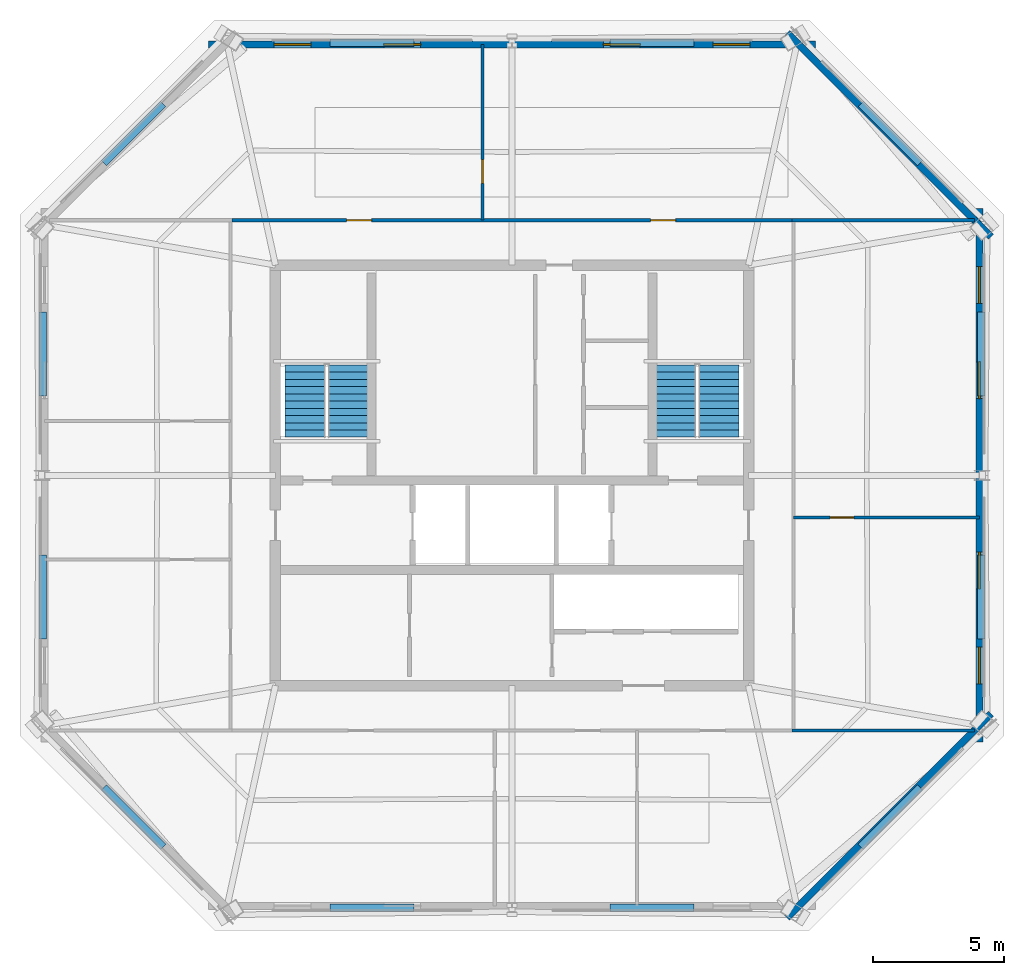
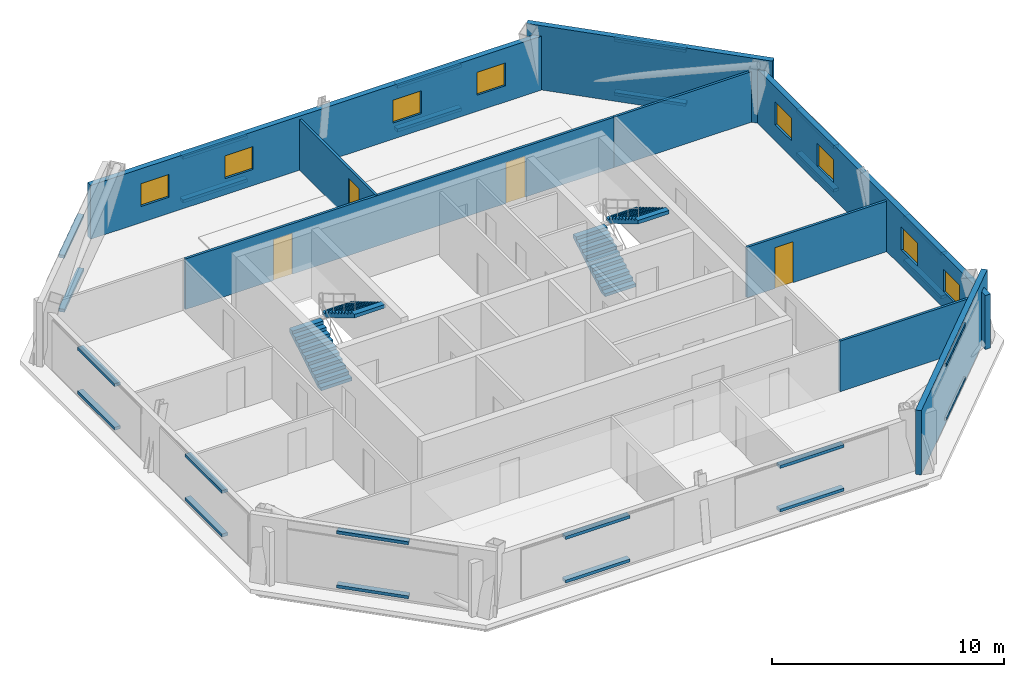
# One storey, part 4 of 6: 24 discrete accessories, 9 walls, 8 windows, 4 doors, 4 stair flights, 12 openings, 2 elements without a shape of their own.
"""IFC4 building model written with IfcOpenShell, lengths in metres."""

from ifc_helpers import new_model, si_unit, direction, frame, frame_2d, origin, origin_2d, place, context, subcontext, project, spatial, polyline, rectangle, outline, extrude, material, layer, layer_set, type_object, element, fill, aggregate, save


model = new_model("IFC4")

# Units and contexts
model_context = context("Model", 3, precision=1e-05, world=origin(), true_north=direction((0.0, 1.0)))
body_context = subcontext(model_context, "Body", "Model", "MODEL_VIEW")
ifc_project = project(units=[si_unit("LENGTHUNIT", "METRE"), si_unit("AREAUNIT", "SQUARE_METRE"), si_unit("VOLUMEUNIT", "CUBIC_METRE"), si_unit("PLANEANGLEUNIT", "RADIAN"), si_unit("MASSUNIT", "GRAM", prefix="KILO")], contexts=[model_context])

# Site, building, storey
site_placement = place(None, origin())
site = spatial("IfcSite", under=ifc_project, at=site_placement, CompositionType="ELEMENT")
building_placement = place(site_placement, origin())
building = spatial("IfcBuilding", under=site, at=building_placement, Name="Caelvoria Tower", CompositionType="ELEMENT")
storey_placement = place(building_placement, frame((0.0, 0.0, 268.199951171875)))
storey = spatial("IfcBuildingStorey", under=building, at=storey_placement, Name="L71", CompositionType="ELEMENT", Elevation=268.199951171875)

# Wall, opening, door
ifc_material_1 = material(Name="Acoustic Gypsum Board on Light-Gauge Stud", Category="gypsum")
ifc_layer_1 = layer(ifc_material_1, 0.1201171875, Name="Acoustic Gypsum Board on Light-Gauge Stud")
ifc_layer_set_1 = layer_set([ifc_layer_1], Name="Tenant Suite Acoustic Partition Wall 120 - Acoustic Gypsum Board on Light-Gauge Stud")
wall_type_1 = type_object("IfcWallType", Name="Tenant Suite Acoustic Partition Wall 120", PredefinedType="PARTITIONING", material=ifc_layer_set_1)
wall_1_placement = place(storey_placement, frame((44.882080078125, 41.7099609375, 0.0), z_axis=(0.0, 0.0, 1.0), x_axis=(0.0, 1.0, 0.0)))
wall_1 = element("IfcWall", 1, at=wall_1_placement, inside=storey, type_object=wall_type_1, Name="Interior Partition IW-L71-ND-00-0", PredefinedType="PARTITIONING", context=body_context, shape_type="SweptSolid", body=[
    extrude(rectangle(XDim=6.67724609375, YDim=0.1201171875, at=frame_2d((3.338623046875, 0.0))), origin(), (0.0, 0.0, 1.0), 2.655029296875),
])
opening_1_placement = place(wall_1_placement, frame((1.39990234375, 0.0, 0.0)))
opening_1 = element("IfcOpeningElement", 2, at=opening_1_placement, cuts=wall_1, Name="Opening ID-06", PredefinedType="OPENING", context=body_context, shape_type="SweptSolid", body=[
    extrude(rectangle(XDim=0.89990234375, YDim=2.14990234375, at=frame_2d((0.449951171875, 1.074951171875))), frame((0.0, 0.070068359375, 0.0), z_axis=(0.0, -1.0, 0.0), x_axis=(1.0, 0.0, 0.0)), (0.0, 0.0, 1.0), 0.14013671875),
])
ifc_material_2 = material(Name="Engineered Andean Oak Veneer Door", Category="wood")
door_type_1 = type_object("IfcDoorType", Name="Interior Timber Door 900x2150", OperationType="NOTDEFINED", PredefinedType="DOOR", material=ifc_material_2)
door_1_placement = place(opening_1_placement, origin())
door_1 = element("IfcDoor", 3, at=door_1_placement, inside=storey, type_object=door_type_1, Name="Interior Door DR-L71-NM-00-0", OperationType="SINGLE_SWING_RIGHT", OverallHeight=2.14990234375, OverallWidth=0.89990234375, PredefinedType="DOOR", context=body_context, shape_type="SweptSolid", body=[
    extrude(rectangle(XDim=0.89990234375, YDim=2.14990234375, at=frame_2d((0.449951171875, 1.074951171875))), frame((0.0, 0.02490234375, 0.0), z_axis=(0.0, -1.0, 0.0), x_axis=(1.0, 0.0, 0.0)), (0.0, 0.0, 1.0), 0.050048828125),
])
fill(opening_1, door_1)

# Wall, openings, doors
wall_2_placement = place(storey_placement, frame((35.35009765625, 41.7099609375, 0.0), z_axis=(0.0, 0.0, 1.0), x_axis=(1.0, 0.0, 0.0)))
wall_2 = element("IfcWall", 4, at=wall_2_placement, inside=storey, type_object=wall_type_1, Name="Interior Partition IW-L71-NCW-0", PredefinedType="PARTITIONING", context=body_context, shape_type="SweptSolid", body=[
    extrude(rectangle(XDim=21.2998046875, YDim=0.1201171875, at=frame_2d((10.64990234375, 0.0))), origin(), (0.0, 0.0, 1.0), 2.655029296875),
])
opening_2_placement = place(wall_2_placement, frame((4.361083984375, 0.0, 0.0)))
opening_2 = element("IfcOpeningElement", 5, at=opening_2_placement, cuts=wall_2, Name="Opening ID-05", PredefinedType="OPENING", context=body_context, shape_type="SweptSolid", body=[
    extrude(rectangle(XDim=0.949951171875, YDim=2.14990234375, at=frame_2d((0.47509765625, 1.074951171875))), frame((0.0, 0.070068359375, 0.0), z_axis=(0.0, -1.0, 0.0), x_axis=(1.0, 0.0, 0.0)), (0.0, 0.0, 1.0), 0.14013671875),
])
opening_3_placement = place(wall_2_placement, frame((15.925048828125, 0.0, 0.0)))
opening_3 = element("IfcOpeningElement", 6, at=opening_3_placement, cuts=wall_2, Name="Opening ID-05", PredefinedType="OPENING", context=body_context, shape_type="SweptSolid", body=[
    extrude(rectangle(XDim=0.949951171875, YDim=2.14990234375, at=frame_2d((0.47509765625, 1.074951171875))), frame((0.0, 0.070068359375, 0.0), z_axis=(0.0, -1.0, 0.0), x_axis=(1.0, 0.0, 0.0)), (0.0, 0.0, 1.0), 0.14013671875),
])
door_type_2 = type_object("IfcDoorType", Name="Interior Timber Door 950x2150", OperationType="NOTDEFINED", PredefinedType="DOOR", material=ifc_material_2)
door_2_placement = place(opening_2_placement, origin())
door_2 = element("IfcDoor", 7, at=door_2_placement, inside=storey, type_object=door_type_2, Name="Interior Door DR-L71-NC-00-0", OperationType="SINGLE_SWING_RIGHT", OverallHeight=2.14990234375, OverallWidth=0.949951171875, PredefinedType="DOOR", context=body_context, shape_type="SweptSolid", body=[
    extrude(rectangle(XDim=0.949951171875, YDim=2.14990234375, at=frame_2d((0.47509765625, 1.074951171875))), frame((0.0, 0.02490234375, 0.0), z_axis=(0.0, -1.0, 0.0), x_axis=(1.0, 0.0, 0.0)), (0.0, 0.0, 1.0), 0.050048828125),
])
fill(opening_2, door_2)
door_3_placement = place(opening_3_placement, origin())
door_3 = element("IfcDoor", 8, at=door_3_placement, inside=storey, type_object=door_type_2, Name="Interior Door DR-L71-NC-01-0", OperationType="SINGLE_SWING_LEFT", OverallHeight=2.14990234375, OverallWidth=0.949951171875, PredefinedType="DOOR", context=body_context, shape_type="SweptSolid", body=[
    extrude(rectangle(XDim=0.949951171875, YDim=2.14990234375, at=frame_2d((0.47509765625, 1.074951171875))), frame((0.0, 0.02490234375, 0.0), z_axis=(0.0, -1.0, 0.0), x_axis=(1.0, 0.0, 0.0)), (0.0, 0.0, 1.0), 0.050048828125),
])
fill(opening_3, door_3)

# Wall, opening, door
wall_3_placement = place(storey_placement, frame((56.7099609375, 30.392333984375, 0.0), z_axis=(0.0, 0.0, 1.0), x_axis=(1.0, 0.0, 0.0)))
wall_3 = element("IfcWall", 9, at=wall_3_placement, inside=storey, type_object=wall_type_1, Name="Interior Partition IW-L71-ED-00-0", PredefinedType="PARTITIONING", context=body_context, shape_type="SweptSolid", body=[
    extrude(rectangle(XDim=7.07275390625, YDim=0.1201171875, at=frame_2d((3.536376953125, 0.0))), origin(), (0.0, 0.0, 1.0), 2.655029296875),
])
opening_4_placement = place(wall_3_placement, frame((1.39990234375, 0.0, 0.0)))
opening_4 = element("IfcOpeningElement", 10, at=opening_4_placement, cuts=wall_3, Name="Opening ID-06", PredefinedType="OPENING", context=body_context, shape_type="SweptSolid", body=[
    extrude(rectangle(XDim=0.89990234375, YDim=2.14990234375, at=frame_2d((0.449951171875, 1.074951171875))), frame((0.0, 0.070068359375, 0.0), z_axis=(0.0, -1.0, 0.0), x_axis=(1.0, 0.0, 0.0)), (0.0, 0.0, 1.0), 0.14013671875),
])
door_4_placement = place(opening_4_placement, origin())
door_4 = element("IfcDoor", 11, at=door_4_placement, inside=storey, type_object=door_type_1, Name="Interior Door DR-L71-EM-00-0", OperationType="SINGLE_SWING_RIGHT", OverallHeight=2.14990234375, OverallWidth=0.89990234375, PredefinedType="DOOR", context=body_context, shape_type="SweptSolid", body=[
    extrude(rectangle(XDim=0.89990234375, YDim=2.14990234375, at=frame_2d((0.449951171875, 1.074951171875))), frame((0.0, 0.02490234375, 0.0), z_axis=(0.0, -1.0, 0.0), x_axis=(1.0, 0.0, 0.0)), (0.0, 0.0, 1.0), 0.050048828125),
])
fill(opening_4, door_4)

# Walls
for number, where, z_axis, x_axis, name in (
    (12, (56.64990234375, 22.2900390625, 0.0), (0.0, 0.0, 1.0), (1.0, 0.0, 0.0), "Interior Partition IW-L71-BSE-0"),
    (13, (56.64990234375, 41.7099609375, 0.0), (0.0, 0.0, 1.0), (1.0, 0.0, 0.0), "Interior Partition IW-L71-BNE-0"),
):
    element("IfcWall", number, at=place(storey_placement, frame(where, z_axis=z_axis, x_axis=x_axis)), inside=storey, type_object=wall_type_1, Name=name, PredefinedType="PARTITIONING", context=body_context, shape_type="SweptSolid", body=[
        extrude(rectangle(XDim=6.9423828125, YDim=0.1201171875, at=frame_2d((3.47119140625, 0.0))), origin(), (0.0, 0.0, 1.0), 2.655029296875),
    ])
ifc_material_3 = material(Name="Precast Concrete C40/50 with Bronze Cladding", Category="concrete")
ifc_layer_2 = layer(ifc_material_3, 0.264892578125, Name="Precast Concrete C40/50 with Bronze Cladding")
ifc_layer_set_2 = layer_set([ifc_layer_2], Name="Upper Taper Precast Concrete C40/50 Bronze Facade Wall 265 - Precast Concrete C40/50 with Bronze Cladding")
wall_type_2 = type_object("IfcWallType", Name="Upper Taper Precast Concrete C40/50 Bronze Facade Wall 265", PredefinedType="STANDARD", material=ifc_layer_set_2)
wall_4_placement = place(storey_placement, frame((56.47021484375, 15.167724609375, 0.0), z_axis=(0.0, 0.0, 1.0), x_axis=(0.707106781187, 0.707106781187, 0.0)))
element("IfcWall", 14, at=wall_4_placement, inside=storey, type_object=wall_type_2, Name="Exterior Facade Wall L71-E1", PredefinedType="STANDARD", context=body_context, shape_type="SweptSolid", body=[
    extrude(rectangle(XDim=10.970947265625, YDim=0.264892578125, at=frame_2d((5.4853515625, 0.0))), origin(), (0.0, 0.0, 1.0), 3.375),
])

# Wall, openings, windows
wall_5_placement = place(storey_placement, frame((63.78271484375, 21.850830078125, 0.0), z_axis=(0.0, 0.0, 1.0), x_axis=(0.0, 1.0, 0.0)))
wall_5 = element("IfcWall", 15, at=wall_5_placement, inside=storey, type_object=wall_type_2, Name="Exterior Facade Wall L71-E2", PredefinedType="STANDARD", context=body_context, shape_type="SweptSolid", body=[
    extrude(rectangle(XDim=20.29833984375, YDim=0.264892578125, at=frame_2d((10.149169921875, 0.0))), origin(), (0.0, 0.0, 1.0), 2.83203125),
])
opening_5_placement = place(wall_5_placement, frame((2.209716796875, 0.0, 0.85009765625)))
opening_5 = element("IfcOpeningElement", 16, at=opening_5_placement, cuts=wall_5, Name="Opening WN-06", PredefinedType="OPENING", context=body_context, shape_type="SweptSolid", body=[
    extrude(rectangle(XDim=1.39990234375, YDim=1.199951171875, at=frame_2d((0.699951171875, 0.60009765625))), frame((0.0, 0.142333984375, 0.0), z_axis=(0.0, -1.0, 0.0), x_axis=(1.0, 0.0, 0.0)), (0.0, 0.0, 1.0), 0.284912109375),
])
opening_6_placement = place(wall_5_placement, frame((5.82958984375, 0.0, 0.85009765625)))
opening_6 = element("IfcOpeningElement", 17, at=opening_6_placement, cuts=wall_5, Name="Opening WN-06", PredefinedType="OPENING", context=body_context, shape_type="SweptSolid", body=[
    extrude(rectangle(XDim=1.39990234375, YDim=1.199951171875, at=frame_2d((0.699951171875, 0.60009765625))), frame((0.0, 0.142333984375, 0.0), z_axis=(0.0, -1.0, 0.0), x_axis=(1.0, 0.0, 0.0)), (0.0, 0.0, 1.0), 0.284912109375),
])
opening_7_placement = place(wall_5_placement, frame((13.068603515625, 0.0, 0.85009765625)))
opening_7 = element("IfcOpeningElement", 18, at=opening_7_placement, cuts=wall_5, Name="Opening WN-06", PredefinedType="OPENING", context=body_context, shape_type="SweptSolid", body=[
    extrude(rectangle(XDim=1.39990234375, YDim=1.199951171875, at=frame_2d((0.699951171875, 0.60009765625))), frame((0.0, 0.142333984375, 0.0), z_axis=(0.0, -1.0, 0.0), x_axis=(1.0, 0.0, 0.0)), (0.0, 0.0, 1.0), 0.284912109375),
])
opening_8_placement = place(wall_5_placement, frame((16.6884765625, 0.0, 0.85009765625)))
opening_8 = element("IfcOpeningElement", 19, at=opening_8_placement, cuts=wall_5, Name="Opening WN-06", PredefinedType="OPENING", context=body_context, shape_type="SweptSolid", body=[
    extrude(rectangle(XDim=1.39990234375, YDim=1.199951171875, at=frame_2d((0.699951171875, 0.60009765625))), frame((0.0, 0.142333984375, 0.0), z_axis=(0.0, -1.0, 0.0), x_axis=(1.0, 0.0, 0.0)), (0.0, 0.0, 1.0), 0.284912109375),
])
ifc_material_4 = material(Name="Low-E Tinted Glass in Bronze Aluminium Frame", Category="aluminium")
window_type = type_object("IfcWindowType", Name="Podium Clerestory Window 1400x1200", PartitioningType="SINGLE_PANEL", PredefinedType="WINDOW", material=ifc_material_4)
window_1_placement = place(opening_5_placement, origin())
window_1 = element("IfcWindow", 20, at=window_1_placement, inside=storey, type_object=window_type, Name="Facade Window L71-E2-00", OverallHeight=1.199951171875, OverallWidth=1.39990234375, PartitioningType="SINGLE_PANEL", PredefinedType="WINDOW", context=body_context, shape_type="SweptSolid", body=[
    extrude(rectangle(XDim=1.39990234375, YDim=1.199951171875, at=frame_2d((0.699951171875, 0.60009765625))), frame((0.0, 0.030029296875, 0.0), z_axis=(0.0, -1.0, 0.0), x_axis=(1.0, 0.0, 0.0)), (0.0, 0.0, 1.0), 0.06005859375),
])
fill(opening_5, window_1)
window_2_placement = place(opening_6_placement, origin())
window_2 = element("IfcWindow", 21, at=window_2_placement, inside=storey, type_object=window_type, Name="Facade Window L71-E2-01", OverallHeight=1.199951171875, OverallWidth=1.39990234375, PartitioningType="SINGLE_PANEL", PredefinedType="WINDOW", context=body_context, shape_type="SweptSolid", body=[
    extrude(rectangle(XDim=1.39990234375, YDim=1.199951171875, at=frame_2d((0.699951171875, 0.60009765625))), frame((0.0, 0.030029296875, 0.0), z_axis=(0.0, -1.0, 0.0), x_axis=(1.0, 0.0, 0.0)), (0.0, 0.0, 1.0), 0.06005859375),
])
fill(opening_6, window_2)
window_3_placement = place(opening_7_placement, origin())
window_3 = element("IfcWindow", 22, at=window_3_placement, inside=storey, type_object=window_type, Name="Facade Window L71-E2-03", OverallHeight=1.199951171875, OverallWidth=1.39990234375, PartitioningType="SINGLE_PANEL", PredefinedType="WINDOW", context=body_context, shape_type="SweptSolid", body=[
    extrude(rectangle(XDim=1.39990234375, YDim=1.199951171875, at=frame_2d((0.699951171875, 0.60009765625))), frame((0.0, 0.030029296875, 0.0), z_axis=(0.0, -1.0, 0.0), x_axis=(1.0, 0.0, 0.0)), (0.0, 0.0, 1.0), 0.06005859375),
])
fill(opening_7, window_3)
window_4_placement = place(opening_8_placement, origin())
window_4 = element("IfcWindow", 23, at=window_4_placement, inside=storey, type_object=window_type, Name="Facade Window L71-E2-04", OverallHeight=1.199951171875, OverallWidth=1.39990234375, PartitioningType="SINGLE_PANEL", PredefinedType="WINDOW", context=body_context, shape_type="SweptSolid", body=[
    extrude(rectangle(XDim=1.39990234375, YDim=1.199951171875, at=frame_2d((0.699951171875, 0.60009765625))), frame((0.0, 0.030029296875, 0.0), z_axis=(0.0, -1.0, 0.0), x_axis=(1.0, 0.0, 0.0)), (0.0, 0.0, 1.0), 0.06005859375),
])
fill(opening_8, window_4)

# Wall
wall_6_placement = place(storey_placement, frame((64.227783203125, 41.07470703125, 0.0), z_axis=(0.0, 0.0, 1.0), x_axis=(-0.707106781187, 0.707106781187, 0.0)))
element("IfcWall", 24, at=wall_6_placement, inside=storey, type_object=wall_type_2, Name="Exterior Facade Wall L71-E3", PredefinedType="STANDARD", context=body_context, shape_type="SweptSolid", body=[
    extrude(rectangle(XDim=10.970947265625, YDim=0.264892578125, at=frame_2d((5.4853515625, 0.0))), origin(), (0.0, 0.0, 1.0), 3.375),
])

# Wall, openings, windows
wall_7_placement = place(storey_placement, frame((57.54443359375, 48.38720703125, 0.0), z_axis=(0.0, 0.0, 1.0), x_axis=(-1.0, 0.0, 0.0)))
wall_7 = element("IfcWall", 25, at=wall_7_placement, inside=storey, type_object=wall_type_2, Name="Exterior Facade Wall L71-E4", PredefinedType="STANDARD", context=body_context, shape_type="SweptSolid", body=[
    extrude(rectangle(XDim=23.0888671875, YDim=0.264892578125, at=frame_2d((11.54443359375, 0.0))), origin(), (0.0, 0.0, 1.0), 2.83203125),
])
opening_9_placement = place(wall_7_placement, frame((2.489013671875, 0.0, 0.85009765625)))
opening_9 = element("IfcOpeningElement", 26, at=opening_9_placement, cuts=wall_7, Name="Opening WN-06", PredefinedType="OPENING", context=body_context, shape_type="SweptSolid", body=[
    extrude(rectangle(XDim=1.39990234375, YDim=1.199951171875, at=frame_2d((0.699951171875, 0.60009765625))), frame((0.0, 0.142333984375, 0.0), z_axis=(0.0, -1.0, 0.0), x_axis=(1.0, 0.0, 0.0)), (0.0, 0.0, 1.0), 0.284912109375),
])
opening_10_placement = place(wall_7_placement, frame((6.666748046875, 0.0, 0.85009765625)))
opening_10 = element("IfcOpeningElement", 27, at=opening_10_placement, cuts=wall_7, Name="Opening WN-06", PredefinedType="OPENING", context=body_context, shape_type="SweptSolid", body=[
    extrude(rectangle(XDim=1.39990234375, YDim=1.199951171875, at=frame_2d((0.699951171875, 0.60009765625))), frame((0.0, 0.142333984375, 0.0), z_axis=(0.0, -1.0, 0.0), x_axis=(1.0, 0.0, 0.0)), (0.0, 0.0, 1.0), 0.284912109375),
])
opening_11_placement = place(wall_7_placement, frame((15.022216796875, 0.0, 0.85009765625)))
opening_11 = element("IfcOpeningElement", 28, at=opening_11_placement, cuts=wall_7, Name="Opening WN-06", PredefinedType="OPENING", context=body_context, shape_type="SweptSolid", body=[
    extrude(rectangle(XDim=1.39990234375, YDim=1.199951171875, at=frame_2d((0.699951171875, 0.60009765625))), frame((0.0, 0.142333984375, 0.0), z_axis=(0.0, -1.0, 0.0), x_axis=(1.0, 0.0, 0.0)), (0.0, 0.0, 1.0), 0.284912109375),
])
opening_12_placement = place(wall_7_placement, frame((19.2001953125, 0.0, 0.85009765625)))
opening_12 = element("IfcOpeningElement", 29, at=opening_12_placement, cuts=wall_7, Name="Opening WN-06", PredefinedType="OPENING", context=body_context, shape_type="SweptSolid", body=[
    extrude(rectangle(XDim=1.39990234375, YDim=1.199951171875, at=frame_2d((0.699951171875, 0.60009765625))), frame((0.0, 0.142333984375, 0.0), z_axis=(0.0, -1.0, 0.0), x_axis=(1.0, 0.0, 0.0)), (0.0, 0.0, 1.0), 0.284912109375),
])
window_5_placement = place(opening_9_placement, origin())
window_5 = element("IfcWindow", 30, at=window_5_placement, inside=storey, type_object=window_type, Name="Facade Window L71-E4-00", OverallHeight=1.199951171875, OverallWidth=1.39990234375, PartitioningType="SINGLE_PANEL", PredefinedType="WINDOW", context=body_context, shape_type="SweptSolid", body=[
    extrude(rectangle(XDim=1.39990234375, YDim=1.199951171875, at=frame_2d((0.699951171875, 0.60009765625))), frame((0.0, 0.030029296875, 0.0), z_axis=(0.0, -1.0, 0.0), x_axis=(1.0, 0.0, 0.0)), (0.0, 0.0, 1.0), 0.06005859375),
])
fill(opening_9, window_5)
window_6_placement = place(opening_10_placement, origin())
window_6 = element("IfcWindow", 31, at=window_6_placement, inside=storey, type_object=window_type, Name="Facade Window L71-E4-01", OverallHeight=1.199951171875, OverallWidth=1.39990234375, PartitioningType="SINGLE_PANEL", PredefinedType="WINDOW", context=body_context, shape_type="SweptSolid", body=[
    extrude(rectangle(XDim=1.39990234375, YDim=1.199951171875, at=frame_2d((0.699951171875, 0.60009765625))), frame((0.0, 0.030029296875, 0.0), z_axis=(0.0, -1.0, 0.0), x_axis=(1.0, 0.0, 0.0)), (0.0, 0.0, 1.0), 0.06005859375),
])
fill(opening_10, window_6)
window_7_placement = place(opening_11_placement, origin())
window_7 = element("IfcWindow", 32, at=window_7_placement, inside=storey, type_object=window_type, Name="Facade Window L71-E4-03", OverallHeight=1.199951171875, OverallWidth=1.39990234375, PartitioningType="SINGLE_PANEL", PredefinedType="WINDOW", context=body_context, shape_type="SweptSolid", body=[
    extrude(rectangle(XDim=1.39990234375, YDim=1.199951171875, at=frame_2d((0.699951171875, 0.60009765625))), frame((0.0, 0.030029296875, 0.0), z_axis=(0.0, -1.0, 0.0), x_axis=(1.0, 0.0, 0.0)), (0.0, 0.0, 1.0), 0.06005859375),
])
fill(opening_11, window_7)
window_8_placement = place(opening_12_placement, origin())
window_8 = element("IfcWindow", 33, at=window_8_placement, inside=storey, type_object=window_type, Name="Facade Window L71-E4-04", OverallHeight=1.199951171875, OverallWidth=1.39990234375, PartitioningType="SINGLE_PANEL", PredefinedType="WINDOW", context=body_context, shape_type="SweptSolid", body=[
    extrude(rectangle(XDim=1.39990234375, YDim=1.199951171875, at=frame_2d((0.699951171875, 0.60009765625))), frame((0.0, 0.030029296875, 0.0), z_axis=(0.0, -1.0, 0.0), x_axis=(1.0, 0.0, 0.0)), (0.0, 0.0, 1.0), 0.06005859375),
])
fill(opening_12, window_8)

# Stair, stair flights
ifc_material_5 = material(Name="Concrete C40/50", Category="concrete")
stair_type = type_object("IfcStairType", Name="Core Smokeproof Dogleg Stair Concrete C40/50", PredefinedType="HALF_TURN_STAIR", material=ifc_material_5)
stair_1_placement = place(storey_placement, origin())
stair_1 = element("IfcStair", 34, at=stair_1_placement, inside=storey, type_object=stair_type, Name="ST-01 Smokeproof Exit Stair L71", PredefinedType="HALF_TURN_STAIR")
ifc_material_6 = material(Name="Precast Concrete C40/50", Category="concrete")
stair_flight_type = type_object("IfcStairFlightType", Name="Precast Concrete C40/50 Stair Flight 1480", PredefinedType="STRAIGHT", material=ifc_material_6)
stair_flight_1_placement = place(storey_placement, frame((38.1298828125, 33.449951171875, 0.0), z_axis=(0.0, 0.0, 1.0), x_axis=(0.0, 1.0, 0.0)))
stair_flight_1 = element("IfcStairFlight", 35, at=stair_flight_1_placement, type_object=stair_flight_type, Name="ST-01 flight 1", NumberOfRisers=11, NumberOfTreads=10, PredefinedType="STRAIGHT", RiserHeight=0.1636, TreadLength=0.275, context=body_context, shape_type="SweptSolid", body=[
    extrude(outline(polyline([(0.0, 0.0), (0.0, 0.16357421875), (0.27490234375, 0.16357421875), (0.27490234375, 0.3271484375), (0.550048828125, 0.3271484375), (0.550048828125, 0.49072265625), (0.824951171875, 0.49072265625), (0.824951171875, 0.654296875), (1.10009765625, 0.654296875), (1.10009765625, 0.818115234375), (1.375, 0.818115234375), (1.375, 0.981689453125), (1.64990234375, 0.981689453125), (1.64990234375, 1.145263671875), (1.925048828125, 1.145263671875), (1.925048828125, 1.308837890625), (2.199951171875, 1.308837890625), (2.199951171875, 1.472412109375), (2.47509765625, 1.472412109375), (2.47509765625, 1.635986328125), (2.75, 1.635986328125), (2.75, 1.799560546875), (2.75, 1.449951171875), (0.312744140625, 0.0), (0.0, 0.0)])), frame((0.0, 0.77001953125, 0.0), z_axis=(0.0, -1.0, 0.0), x_axis=(1.0, 0.0, 0.0)), (0.0, 0.0, 1.0), 1.5400390625),
])
stair_flight_2_placement = place(storey_placement, frame((39.77001953125, 36.199951171875, 1.800048828125), z_axis=(0.0, 0.0, 1.0), x_axis=(0.0, -1.0, 0.0)))
stair_flight_2 = element("IfcStairFlight", 36, at=stair_flight_2_placement, type_object=stair_flight_type, Name="ST-01 flight 2", NumberOfRisers=11, NumberOfTreads=10, PredefinedType="STRAIGHT", RiserHeight=0.1636, TreadLength=0.275, context=body_context, shape_type="SweptSolid", body=[
    extrude(outline(polyline([(0.0, 0.0), (0.0, 0.16357421875), (0.27490234375, 0.16357421875), (0.27490234375, 0.3271484375), (0.550048828125, 0.3271484375), (0.550048828125, 0.49072265625), (0.824951171875, 0.49072265625), (0.824951171875, 0.654296875), (1.10009765625, 0.654296875), (1.10009765625, 0.818115234375), (1.375, 0.818115234375), (1.375, 0.981689453125), (1.64990234375, 0.981689453125), (1.64990234375, 1.145263671875), (1.925048828125, 1.145263671875), (1.925048828125, 1.308837890625), (2.199951171875, 1.308837890625), (2.199951171875, 1.472412109375), (2.47509765625, 1.472412109375), (2.47509765625, 1.635986328125), (2.75, 1.635986328125), (2.75, 1.799560546875), (2.75, 1.449951171875), (0.312744140625, 0.0), (0.0, 0.0)])), frame((0.0, 0.77001953125, 0.0), z_axis=(0.0, -1.0, 0.0), x_axis=(1.0, 0.0, 0.0)), (0.0, 0.0, 1.0), 1.5400390625),
])
aggregate(stair_1, [stair_flight_1, stair_flight_2])

stair_2_placement = place(storey_placement, origin())
stair_2 = element("IfcStair", 37, at=stair_2_placement, inside=storey, type_object=stair_type, Name="ST-02 Smokeproof Exit Stair L71", PredefinedType="HALF_TURN_STAIR")
stair_flight_3_placement = place(storey_placement, frame((52.22998046875, 33.449951171875, 0.0), z_axis=(0.0, 0.0, 1.0), x_axis=(0.0, 1.0, 0.0)))
stair_flight_3 = element("IfcStairFlight", 38, at=stair_flight_3_placement, type_object=stair_flight_type, Name="ST-02 flight 1", NumberOfRisers=11, NumberOfTreads=10, PredefinedType="STRAIGHT", RiserHeight=0.1636, TreadLength=0.275, context=body_context, shape_type="SweptSolid", body=[
    extrude(outline(polyline([(0.0, 0.0), (0.0, 0.16357421875), (0.27490234375, 0.16357421875), (0.27490234375, 0.3271484375), (0.550048828125, 0.3271484375), (0.550048828125, 0.49072265625), (0.824951171875, 0.49072265625), (0.824951171875, 0.654296875), (1.10009765625, 0.654296875), (1.10009765625, 0.818115234375), (1.375, 0.818115234375), (1.375, 0.981689453125), (1.64990234375, 0.981689453125), (1.64990234375, 1.145263671875), (1.925048828125, 1.145263671875), (1.925048828125, 1.308837890625), (2.199951171875, 1.308837890625), (2.199951171875, 1.472412109375), (2.47509765625, 1.472412109375), (2.47509765625, 1.635986328125), (2.75, 1.635986328125), (2.75, 1.799560546875), (2.75, 1.449951171875), (0.312744140625, 0.0), (0.0, 0.0)])), frame((0.0, 0.77001953125, 0.0), z_axis=(0.0, -1.0, 0.0), x_axis=(1.0, 0.0, 0.0)), (0.0, 0.0, 1.0), 1.5400390625),
])
stair_flight_4_placement = place(storey_placement, frame((53.8701171875, 36.199951171875, 1.800048828125), z_axis=(0.0, 0.0, 1.0), x_axis=(0.0, -1.0, 0.0)))
stair_flight_4 = element("IfcStairFlight", 39, at=stair_flight_4_placement, type_object=stair_flight_type, Name="ST-02 flight 2", NumberOfRisers=11, NumberOfTreads=10, PredefinedType="STRAIGHT", RiserHeight=0.1636, TreadLength=0.275, context=body_context, shape_type="SweptSolid", body=[
    extrude(outline(polyline([(0.0, 0.0), (0.0, 0.16357421875), (0.27490234375, 0.16357421875), (0.27490234375, 0.3271484375), (0.550048828125, 0.3271484375), (0.550048828125, 0.49072265625), (0.824951171875, 0.49072265625), (0.824951171875, 0.654296875), (1.10009765625, 0.654296875), (1.10009765625, 0.818115234375), (1.375, 0.818115234375), (1.375, 0.981689453125), (1.64990234375, 0.981689453125), (1.64990234375, 1.145263671875), (1.925048828125, 1.145263671875), (1.925048828125, 1.308837890625), (2.199951171875, 1.308837890625), (2.199951171875, 1.472412109375), (2.47509765625, 1.472412109375), (2.47509765625, 1.635986328125), (2.75, 1.635986328125), (2.75, 1.799560546875), (2.75, 1.449951171875), (0.312744140625, 0.0), (0.0, 0.0)])), frame((0.0, 0.77001953125, 0.0), z_axis=(0.0, -1.0, 0.0), x_axis=(1.0, 0.0, 0.0)), (0.0, 0.0, 1.0), 1.5400390625),
])
aggregate(stair_2, [stair_flight_3, stair_flight_4])

# Discrete accessories
ifc_material_7 = material(Name="Anodised Bronze Stainless Bracket", Category="bronze")
discrete_accessory_type = type_object("IfcDiscreteAccessoryType", Name="Solar Screen Outrigger Support Bracket", PredefinedType="BRACKET", material=ifc_material_7)
for number, where, z_axis, x_axis, name in (
    (40, (40.677734375, 15.539794921875, 0.240234375), (0.0, 0.0, 1.0), (1.0, 0.0, 0.0), "Solar Screen Bracket L71-E0-00"),
    (41, (40.677734375, 15.539794921875, 2.5322265625), (0.0, 0.0, 1.0), (1.0, 0.0, 0.0), "Upper Screen Band Bracket L71-E0-00"),
    (42, (51.322265625, 15.539794921875, 0.240234375), (0.0, 0.0, 1.0), (1.0, 0.0, 0.0), "Solar Screen Bracket L71-E0-01"),
    (43, (51.322265625, 15.539794921875, 2.5322265625), (0.0, 0.0, 1.0), (1.0, 0.0, 0.0), "Upper Screen Band Bracket L71-E0-01"),
    (44, (60.400390625, 18.9951171875, 0.240234375), (0.0, 0.0, 1.0), (0.707106781187, 0.707106781187, 0.0), "Solar Screen Bracket L71-E1-00"),
    (45, (60.400390625, 18.9951171875, 3.0751953125), (0.0, 0.0, 1.0), (0.707106781187, 0.707106781187, 0.0), "Upper Screen Band Bracket L71-E1-00"),
    (46, (63.855712890625, 27.37548828125, 0.240234375), (0.0, 0.0, 1.0), (0.0, 1.0, 0.0), "Solar Screen Bracket L71-E2-00"),
    (47, (63.855712890625, 27.37548828125, 2.5322265625), (0.0, 0.0, 1.0), (0.0, 1.0, 0.0), "Upper Screen Band Bracket L71-E2-00"),
    (48, (63.855712890625, 36.62451171875, 0.240234375), (0.0, 0.0, 1.0), (0.0, 1.0, 0.0), "Solar Screen Bracket L71-E2-01"),
    (49, (63.855712890625, 36.62451171875, 2.5322265625), (0.0, 0.0, 1.0), (0.0, 1.0, 0.0), "Upper Screen Band Bracket L71-E2-01"),
    (50, (60.400390625, 45.0048828125, 0.240234375), (0.0, 0.0, 1.0), (-0.707106781187, 0.707106781187, 0.0), "Solar Screen Bracket L71-E3-00"),
    (51, (60.400390625, 45.0048828125, 3.0751953125), (0.0, 0.0, 1.0), (-0.707106781187, 0.707106781187, 0.0), "Upper Screen Band Bracket L71-E3-00"),
    (52, (51.322265625, 48.460205078125, 0.240234375), (0.0, 0.0, 1.0), (-1.0, 0.0, 0.0), "Solar Screen Bracket L71-E4-00"),
    (53, (51.322265625, 48.460205078125, 2.5322265625), (0.0, 0.0, 1.0), (-1.0, 0.0, 0.0), "Upper Screen Band Bracket L71-E4-00"),
    (54, (40.677734375, 48.460205078125, 0.240234375), (0.0, 0.0, 1.0), (-1.0, 0.0, 0.0), "Solar Screen Bracket L71-E4-01"),
    (55, (40.677734375, 48.460205078125, 2.5322265625), (0.0, 0.0, 1.0), (-1.0, 0.0, 0.0), "Upper Screen Band Bracket L71-E4-01"),
    (56, (31.599609375, 45.0048828125, 0.240234375), (0.0, 0.0, 1.0), (-0.707106781187, -0.707106781187, 0.0), "Solar Screen Bracket L71-E5-00"),
    (57, (31.599609375, 45.0048828125, 3.0751953125), (0.0, 0.0, 1.0), (-0.707106781187, -0.707106781187, 0.0), "Upper Screen Band Bracket L71-E5-00"),
    (58, (28.144287109375, 36.62451171875, 0.240234375), (0.0, 0.0, 1.0), (0.0, -1.0, 0.0), "Solar Screen Bracket L71-E6-00"),
    (59, (28.144287109375, 36.62451171875, 2.5322265625), (0.0, 0.0, 1.0), (0.0, -1.0, 0.0), "Upper Screen Band Bracket L71-E6-00"),
    (60, (28.144287109375, 27.37548828125, 0.240234375), (0.0, 0.0, 1.0), (0.0, -1.0, 0.0), "Solar Screen Bracket L71-E6-01"),
    (61, (28.144287109375, 27.37548828125, 2.5322265625), (0.0, 0.0, 1.0), (0.0, -1.0, 0.0), "Upper Screen Band Bracket L71-E6-01"),
    (62, (31.599609375, 18.9951171875, 0.240234375), (0.0, 0.0, 1.0), (0.707106781187, -0.707106781187, 0.0), "Solar Screen Bracket L71-E7-00"),
    (63, (31.599609375, 18.9951171875, 3.0751953125), (0.0, 0.0, 1.0), (0.707106781187, -0.707106781187, 0.0), "Upper Screen Band Bracket L71-E7-00"),
):
    element("IfcDiscreteAccessory", number, at=place(storey_placement, frame(where, z_axis=z_axis, x_axis=x_axis)), inside=storey, type_object=discrete_accessory_type, Name=name, PredefinedType="BRACKET", context=body_context, shape_type="SweptSolid", body=[
        extrude(rectangle(XDim=3.199951171875, YDim=0.280029296875, at=origin_2d()), origin(), (0.0, 0.0, 1.0), 0.159912109375),
    ])

save(model, "model.ifc")
